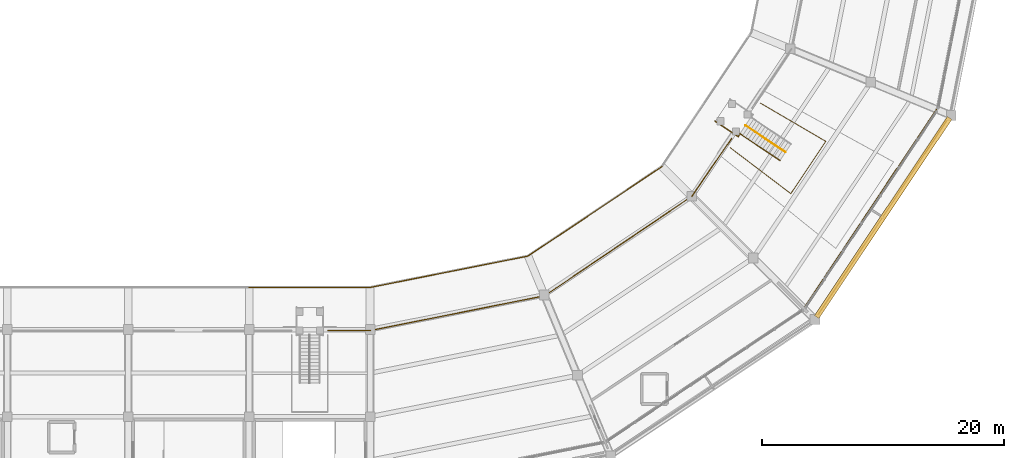
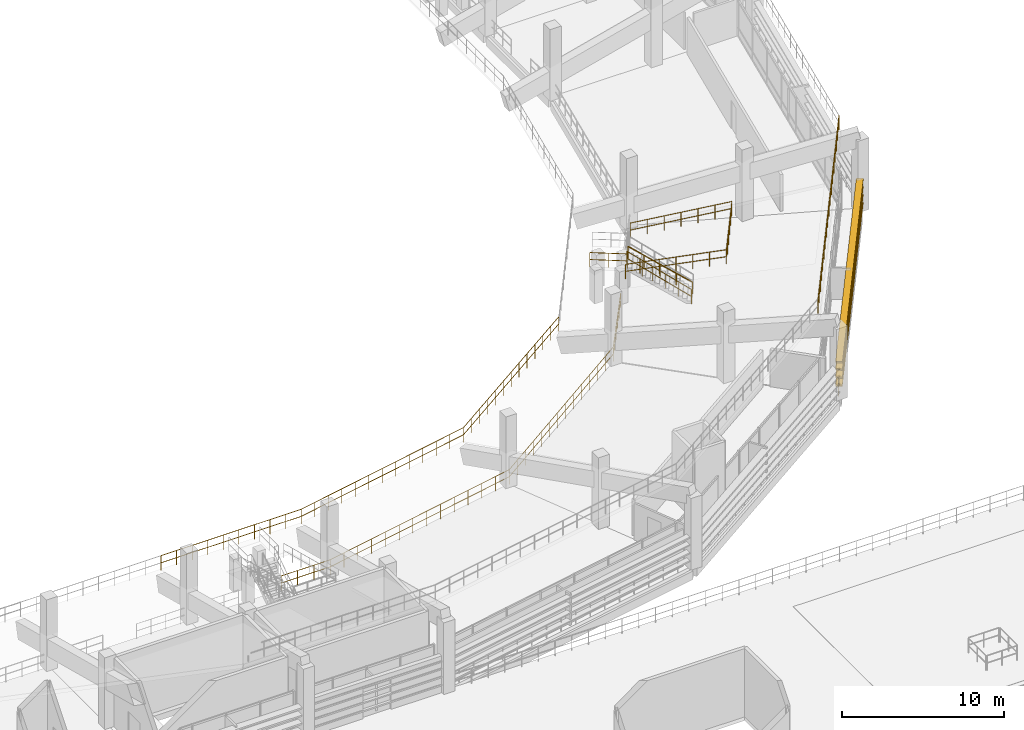
# One storey, part 89 of 96: 12 railings, 4 shading devices.
"""IFC4 building model written with IfcOpenShell, lengths in metres."""

from ifc_helpers import new_model, si_unit, direction, frame, origin, origin_2d, place, context, subcontext, project, spatial, rectangle, circle, extrude, material, layer, layer_set, type_object, element, save


model = new_model("IFC4")

# Units and contexts
model_context = context("Model", 3, precision=1e-05, world=origin(), true_north=direction((0.0, 1.0)))
body_context = subcontext(model_context, "Body", "Model", "MODEL_VIEW")
ifc_project = project(units=[si_unit("LENGTHUNIT", "METRE"), si_unit("AREAUNIT", "SQUARE_METRE"), si_unit("VOLUMEUNIT", "CUBIC_METRE"), si_unit("PLANEANGLEUNIT", "RADIAN"), si_unit("MASSUNIT", "GRAM", prefix="KILO")], contexts=[model_context])

# Site, building, storey
site_placement = place(None, origin())
site = spatial("IfcSite", under=ifc_project, at=site_placement, CompositionType="ELEMENT")
building_placement = place(site_placement, origin())
building = spatial("IfcBuilding", under=site, at=building_placement, Name="Candeia Ridge Stadium", CompositionType="ELEMENT")
storey_placement = place(building_placement, frame((0.0, 0.0, 21.60009765625)))
storey = spatial("IfcBuildingStorey", under=building, at=storey_placement, Name="L04", CompositionType="ELEMENT", Elevation=21.60009765625)

# Railings
ifc_material_1 = material(Name="Galvanized Powder-Coated Steel", Category="steel")
ifc_layer_1 = layer(ifc_material_1, 0.074951171875, Name="Galvanized Powder-Coated Steel", Category="steel")
ifc_layer_set_1 = layer_set([ifc_layer_1], Name="Galvanized Powder-Coated Steel")
railing_type_1 = type_object("IfcRailingType", Name="Spectator Bowl Front Guardrail 1120", PredefinedType="GUARDRAIL", material=ifc_layer_set_1)
railing_1_placement = place(storey_placement, frame((131.0, 36.8798828125, 1.64990234375)))
element("IfcRailing", 1, at=railing_1_placement, inside=storey, type_object=railing_type_1, Name="Stand T3 front safety guardrail bay 25", PredefinedType="GUARDRAIL", context=body_context, shape_type="SweptSolid", body=[
    extrude(circle(Radius=0.02392578125, at=origin_2d()), frame((0.0, 0.0, 1.09619140625), z_axis=(1.0, 0.0, 0.0), x_axis=(0.0, 1.0, 0.0)), (0.0, 0.0, 1.0), 10.0),
    extrude(circle(Radius=0.02392578125, at=origin_2d()), frame((0.0, 0.0, 0.56005859375), z_axis=(1.0, 0.0, 0.0), x_axis=(0.0, 1.0, 0.0)), (0.0, 0.0, 1.0), 10.0),
    extrude(circle(Radius=0.02099609375, at=origin_2d()), origin(), (0.0, 0.0, 1.0), 1.072021484375),
    extrude(circle(Radius=0.02099609375, at=origin_2d()), frame((1.111083984375, 0.0, 0.0)), (0.0, 0.0, 1.0), 1.072021484375),
    extrude(circle(Radius=0.02099609375, at=origin_2d()), frame((2.22216796875, 0.0, 0.0)), (0.0, 0.0, 1.0), 1.072021484375),
    extrude(circle(Radius=0.02099609375, at=origin_2d()), frame((3.333251953125, 0.0, 0.0)), (0.0, 0.0, 1.0), 1.072021484375),
    extrude(circle(Radius=0.02099609375, at=origin_2d()), frame((4.4443359375, 0.0, 0.0)), (0.0, 0.0, 1.0), 1.072021484375),
    extrude(circle(Radius=0.02099609375, at=origin_2d()), frame((5.5556640625, 0.0, 0.0)), (0.0, 0.0, 1.0), 1.072021484375),
    extrude(circle(Radius=0.02099609375, at=origin_2d()), frame((6.666748046875, 0.0, 0.0)), (0.0, 0.0, 1.0), 1.072021484375),
    extrude(circle(Radius=0.02099609375, at=origin_2d()), frame((7.77783203125, 0.0, 0.0)), (0.0, 0.0, 1.0), 1.072021484375),
    extrude(circle(Radius=0.02099609375, at=origin_2d()), frame((8.888916015625, 0.0, 0.0)), (0.0, 0.0, 1.0), 1.072021484375),
    extrude(circle(Radius=0.02099609375, at=origin_2d()), frame((10.0, 0.0, 0.0)), (0.0, 0.0, 1.0), 1.072021484375),
])
railing_2_placement = place(storey_placement, frame((141.0, 36.8798828125, 1.64990234375)))
element("IfcRailing", 2, at=railing_2_placement, inside=storey, type_object=railing_type_1, Name="Stand T3 front safety guardrail bay 26", PredefinedType="GUARDRAIL", context=body_context, shape_type="SweptSolid", body=[
    extrude(circle(Radius=0.02392578125, at=origin_2d()), frame((0.0, 0.0, 1.09619140625), z_axis=(0.980782582757, 0.195103883511, 0.0), x_axis=(-0.195103883511, 0.980782582757, 0.0)), (0.0, 0.0, 1.0), 13.31298828125),
    extrude(circle(Radius=0.02392578125, at=origin_2d()), frame((0.0, 0.0, 0.56005859375), z_axis=(0.980782582757, 0.195103883511, 0.0), x_axis=(-0.195103883511, 0.980782582757, 0.0)), (0.0, 0.0, 1.0), 13.31298828125),
    extrude(circle(Radius=0.02099609375, at=origin_2d()), origin(), (0.0, 0.0, 1.0), 1.072021484375),
    extrude(circle(Radius=0.02099609375, at=origin_2d()), frame((1.088134765625, 0.216552734375, 0.0)), (0.0, 0.0, 1.0), 1.072021484375),
    extrude(circle(Radius=0.02099609375, at=origin_2d()), frame((2.17626953125, 0.432861328125, 0.0)), (0.0, 0.0, 1.0), 1.072021484375),
    extrude(circle(Radius=0.02099609375, at=origin_2d()), frame((3.26416015625, 0.6494140625, 0.0)), (0.0, 0.0, 1.0), 1.072021484375),
    extrude(circle(Radius=0.02099609375, at=origin_2d()), frame((4.352294921875, 0.86572265625, 0.0)), (0.0, 0.0, 1.0), 1.072021484375),
    extrude(circle(Radius=0.02099609375, at=origin_2d()), frame((5.4404296875, 1.082275390625, 0.0)), (0.0, 0.0, 1.0), 1.072021484375),
    extrude(circle(Radius=0.02099609375, at=origin_2d()), frame((6.528564453125, 1.298828125, 0.0)), (0.0, 0.0, 1.0), 1.072021484375),
    extrude(circle(Radius=0.02099609375, at=origin_2d()), frame((7.61669921875, 1.51513671875, 0.0)), (0.0, 0.0, 1.0), 1.072021484375),
    extrude(circle(Radius=0.02099609375, at=origin_2d()), frame((8.704833984375, 1.731689453125, 0.0)), (0.0, 0.0, 1.0), 1.072021484375),
    extrude(circle(Radius=0.02099609375, at=origin_2d()), frame((9.79296875, 1.947998046875, 0.0)), (0.0, 0.0, 1.0), 1.072021484375),
    extrude(circle(Radius=0.02099609375, at=origin_2d()), frame((10.880859375, 2.16455078125, 0.0)), (0.0, 0.0, 1.0), 1.072021484375),
    extrude(circle(Radius=0.02099609375, at=origin_2d()), frame((11.968994140625, 2.380859375, 0.0)), (0.0, 0.0, 1.0), 1.072021484375),
    extrude(circle(Radius=0.02099609375, at=origin_2d()), frame((13.05712890625, 2.597412109375, 0.0)), (0.0, 0.0, 1.0), 1.072021484375),
])
railing_3_placement = place(storey_placement, frame((154.05712890625, 39.477294921875, 1.64990234375)))
element("IfcRailing", 3, at=railing_3_placement, inside=storey, type_object=railing_type_1, Name="Stand T3 front safety guardrail bay 27", PredefinedType="GUARDRAIL", context=body_context, shape_type="SweptSolid", body=[
    extrude(circle(Radius=0.02392578125, at=origin_2d()), frame((0.0, 0.0, 1.09619140625), z_axis=(0.831471471272, 0.555567450865, 0.0), x_axis=(-0.555567450865, 0.831471471272, 0.0)), (0.0, 0.0, 1.0), 13.31298828125),
    extrude(circle(Radius=0.02392578125, at=origin_2d()), frame((0.0, 0.0, 0.56005859375), z_axis=(0.831471471272, 0.555567450865, 0.0), x_axis=(-0.555567450865, 0.831471471272, 0.0)), (0.0, 0.0, 1.0), 13.31298828125),
    extrude(circle(Radius=0.02099609375, at=origin_2d()), origin(), (0.0, 0.0, 1.0), 1.072021484375),
    extrude(circle(Radius=0.02099609375, at=origin_2d()), frame((0.92236328125, 0.616455078125, 0.0)), (0.0, 0.0, 1.0), 1.072021484375),
    extrude(circle(Radius=0.02099609375, at=origin_2d()), frame((1.844970703125, 1.232666015625, 0.0)), (0.0, 0.0, 1.0), 1.072021484375),
    extrude(circle(Radius=0.02099609375, at=origin_2d()), frame((2.767333984375, 1.84912109375, 0.0)), (0.0, 0.0, 1.0), 1.072021484375),
    extrude(circle(Radius=0.02099609375, at=origin_2d()), frame((3.689697265625, 2.46533203125, 0.0)), (0.0, 0.0, 1.0), 1.072021484375),
    extrude(circle(Radius=0.02099609375, at=origin_2d()), frame((4.6123046875, 3.081787109375, 0.0)), (0.0, 0.0, 1.0), 1.072021484375),
    extrude(circle(Radius=0.02099609375, at=origin_2d()), frame((5.53466796875, 3.6982421875, 0.0)), (0.0, 0.0, 1.0), 1.072021484375),
    extrude(circle(Radius=0.02099609375, at=origin_2d()), frame((6.45703125, 4.314453125, 0.0)), (0.0, 0.0, 1.0), 1.072021484375),
    extrude(circle(Radius=0.02099609375, at=origin_2d()), frame((7.379638671875, 4.930908203125, 0.0)), (0.0, 0.0, 1.0), 1.072021484375),
    extrude(circle(Radius=0.02099609375, at=origin_2d()), frame((8.302001953125, 5.547119140625, 0.0)), (0.0, 0.0, 1.0), 1.072021484375),
    extrude(circle(Radius=0.02099609375, at=origin_2d()), frame((9.224365234375, 6.16357421875, 0.0)), (0.0, 0.0, 1.0), 1.072021484375),
    extrude(circle(Radius=0.02099609375, at=origin_2d()), frame((10.14697265625, 6.77978515625, 0.0)), (0.0, 0.0, 1.0), 1.072021484375),
    extrude(circle(Radius=0.02099609375, at=origin_2d()), frame((11.0693359375, 7.396240234375, 0.0)), (0.0, 0.0, 1.0), 1.072021484375),
])
railing_4_placement = place(storey_placement, frame((176.836181640625, 35.163818359375, 6.0)))
element("IfcRailing", 4, at=railing_4_placement, inside=storey, type_object=railing_type_1, Name="Stand T3 rear safety guardrail bay 28", PredefinedType="GUARDRAIL", context=body_context, shape_type="SweptSolid", body=[
    extrude(circle(Radius=0.02392578125, at=origin_2d()), frame((0.0, 0.0, 1.09619140625), z_axis=(0.555568879725, 0.831470516544, 0.0), x_axis=(-0.831470516544, 0.555568879725, 0.0)), (0.0, 0.0, 1.0), 19.7744140625),
    extrude(circle(Radius=0.02392578125, at=origin_2d()), frame((0.0, 0.0, 0.56005859375), z_axis=(0.555568879725, 0.831470516544, 0.0), x_axis=(-0.831470516544, 0.555568879725, 0.0)), (0.0, 0.0, 1.0), 19.7744140625),
    extrude(circle(Radius=0.02099609375, at=origin_2d()), origin(), (0.0, 0.0, 1.0), 1.072021484375),
    extrude(circle(Radius=0.02099609375, at=origin_2d()), frame((0.646240234375, 0.96728515625, 0.0)), (0.0, 0.0, 1.0), 1.072021484375),
    extrude(circle(Radius=0.02099609375, at=origin_2d()), frame((1.29248046875, 1.934326171875, 0.0)), (0.0, 0.0, 1.0), 1.072021484375),
    extrude(circle(Radius=0.02099609375, at=origin_2d()), frame((1.938720703125, 2.901611328125, 0.0)), (0.0, 0.0, 1.0), 1.072021484375),
    extrude(circle(Radius=0.02099609375, at=origin_2d()), frame((2.5849609375, 3.86865234375, 0.0)), (0.0, 0.0, 1.0), 1.072021484375),
    extrude(circle(Radius=0.02099609375, at=origin_2d()), frame((3.231201171875, 4.8359375, 0.0)), (0.0, 0.0, 1.0), 1.072021484375),
    extrude(circle(Radius=0.02099609375, at=origin_2d()), frame((3.87744140625, 5.802978515625, 0.0)), (0.0, 0.0, 1.0), 1.072021484375),
    extrude(circle(Radius=0.02099609375, at=origin_2d()), frame((4.523681640625, 6.770263671875, 0.0)), (0.0, 0.0, 1.0), 1.072021484375),
    extrude(circle(Radius=0.02099609375, at=origin_2d()), frame((5.169921875, 7.7373046875, 0.0)), (0.0, 0.0, 1.0), 1.072021484375),
    extrude(circle(Radius=0.02099609375, at=origin_2d()), frame((5.816162109375, 8.70458984375, 0.0)), (0.0, 0.0, 1.0), 1.072021484375),
    extrude(circle(Radius=0.02099609375, at=origin_2d()), frame((6.46240234375, 9.671630859375, 0.0)), (0.0, 0.0, 1.0), 1.072021484375),
    extrude(circle(Radius=0.02099609375, at=origin_2d()), frame((7.108642578125, 10.638916015625, 0.0)), (0.0, 0.0, 1.0), 1.072021484375),
    extrude(circle(Radius=0.02099609375, at=origin_2d()), frame((7.7548828125, 11.60595703125, 0.0)), (0.0, 0.0, 1.0), 1.072021484375),
    extrude(circle(Radius=0.02099609375, at=origin_2d()), frame((8.401123046875, 12.5732421875, 0.0)), (0.0, 0.0, 1.0), 1.072021484375),
    extrude(circle(Radius=0.02099609375, at=origin_2d()), frame((9.04736328125, 13.540283203125, 0.0)), (0.0, 0.0, 1.0), 1.072021484375),
    extrude(circle(Radius=0.02099609375, at=origin_2d()), frame((9.693603515625, 14.507568359375, 0.0)), (0.0, 0.0, 1.0), 1.072021484375),
    extrude(circle(Radius=0.02099609375, at=origin_2d()), frame((10.33984375, 15.474609375, 0.0)), (0.0, 0.0, 1.0), 1.072021484375),
    extrude(circle(Radius=0.02099609375, at=origin_2d()), frame((10.986083984375, 16.44189453125, 0.0)), (0.0, 0.0, 1.0), 1.072021484375),
])
railing_5_placement = place(storey_placement, frame((188.97509765625, 51.14501953125, 0.0)))
element("IfcRailing", 5, at=railing_5_placement, inside=storey, type_object=railing_type_1, Name="Deck edge safety guardrail GR-DE-L04-0200", PredefinedType="GUARDRAIL", context=body_context, shape_type="SweptSolid", body=[
    extrude(circle(Radius=0.02392578125, at=origin_2d()), frame((0.0, 0.0, 1.09619140625), z_axis=(-0.552282039589, -0.83365733293, 0.0), x_axis=(0.83365733293, -0.552282039589, 0.0)), (0.0, 0.0, 1.0), 20.28955078125),
    extrude(circle(Radius=0.02392578125, at=origin_2d()), frame((0.0, 0.0, 0.56005859375), z_axis=(-0.552282039589, -0.83365733293, 0.0), x_axis=(0.83365733293, -0.552282039589, 0.0)), (0.0, 0.0, 1.0), 20.28955078125),
    extrude(circle(Radius=0.02099609375, at=origin_2d()), origin(), (0.0, 0.0, 1.0), 1.072021484375),
    extrude(circle(Radius=0.02099609375, at=origin_2d()), frame((-0.6591796875, -0.994873046875, 0.0)), (0.0, 0.0, 1.0), 1.072021484375),
    extrude(circle(Radius=0.02099609375, at=origin_2d()), frame((-1.318359375, -1.989990234375, 0.0)), (0.0, 0.0, 1.0), 1.072021484375),
    extrude(circle(Radius=0.02099609375, at=origin_2d()), frame((-1.9775390625, -2.98486328125, 0.0)), (0.0, 0.0, 1.0), 1.072021484375),
    extrude(circle(Radius=0.02099609375, at=origin_2d()), frame((-2.63671875, -3.97998046875, 0.0)), (0.0, 0.0, 1.0), 1.072021484375),
    extrude(circle(Radius=0.02099609375, at=origin_2d()), frame((-3.295654296875, -4.974853515625, 0.0)), (0.0, 0.0, 1.0), 1.072021484375),
    extrude(circle(Radius=0.02099609375, at=origin_2d()), frame((-3.954833984375, -5.9697265625, 0.0)), (0.0, 0.0, 1.0), 1.072021484375),
    extrude(circle(Radius=0.02099609375, at=origin_2d()), frame((-4.614013671875, -6.96484375, 0.0)), (0.0, 0.0, 1.0), 1.072021484375),
    extrude(circle(Radius=0.02099609375, at=origin_2d()), frame((-5.273193359375, -7.959716796875, 0.0)), (0.0, 0.0, 1.0), 1.072021484375),
    extrude(circle(Radius=0.02099609375, at=origin_2d()), frame((-5.932373046875, -8.954833984375, 0.0)), (0.0, 0.0, 1.0), 1.072021484375),
    extrude(circle(Radius=0.02099609375, at=origin_2d()), frame((-6.591552734375, -9.94970703125, 0.0)), (0.0, 0.0, 1.0), 1.072021484375),
    extrude(circle(Radius=0.02099609375, at=origin_2d()), frame((-7.250732421875, -10.94482421875, 0.0)), (0.0, 0.0, 1.0), 1.072021484375),
    extrude(circle(Radius=0.02099609375, at=origin_2d()), frame((-7.909912109375, -11.939697265625, 0.0)), (0.0, 0.0, 1.0), 1.072021484375),
    extrude(circle(Radius=0.02099609375, at=origin_2d()), frame((-8.56884765625, -12.9345703125, 0.0)), (0.0, 0.0, 1.0), 1.072021484375),
    extrude(circle(Radius=0.02099609375, at=origin_2d()), frame((-9.22802734375, -13.9296875, 0.0)), (0.0, 0.0, 1.0), 1.072021484375),
    extrude(circle(Radius=0.02099609375, at=origin_2d()), frame((-9.88720703125, -14.924560546875, 0.0)), (0.0, 0.0, 1.0), 1.072021484375),
    extrude(circle(Radius=0.02099609375, at=origin_2d()), frame((-10.54638671875, -15.919677734375, 0.0)), (0.0, 0.0, 1.0), 1.072021484375),
    extrude(circle(Radius=0.02099609375, at=origin_2d()), frame((-11.20556640625, -16.91455078125, 0.0)), (0.0, 0.0, 1.0), 1.072021484375),
])
railing_6_placement = place(storey_placement, frame((137.52001953125, 33.320068359375, 0.0)))
element("IfcRailing", 6, at=railing_6_placement, inside=storey, type_object=railing_type_1, Name="Deck edge safety guardrail GR-DE-L04-0215", PredefinedType="GUARDRAIL", context=body_context, shape_type="SweptSolid", body=[
    extrude(circle(Radius=0.02392578125, at=origin_2d()), frame((0.0, 0.0, 1.09619140625), z_axis=(0.999999912197, 0.000419052904, 0.0), x_axis=(-0.000419052904, 0.999999912197, 0.0)), (0.0, 0.0, 1.0), 3.49560546875),
    extrude(circle(Radius=0.02392578125, at=origin_2d()), frame((0.0, 0.0, 0.56005859375), z_axis=(0.999999912197, 0.000419052904, 0.0), x_axis=(-0.000419052904, 0.999999912197, 0.0)), (0.0, 0.0, 1.0), 3.49560546875),
    extrude(circle(Radius=0.02099609375, at=origin_2d()), origin(), (0.0, 0.0, 1.0), 1.072021484375),
    extrude(circle(Radius=0.02099609375, at=origin_2d()), frame((1.165283203125, 0.00048828125, 0.0)), (0.0, 0.0, 1.0), 1.072021484375),
    extrude(circle(Radius=0.02099609375, at=origin_2d()), frame((2.330322265625, 0.0009765625, 0.0)), (0.0, 0.0, 1.0), 1.072021484375),
    extrude(circle(Radius=0.02099609375, at=origin_2d()), frame((3.49560546875, 0.00146484375, 0.0)), (0.0, 0.0, 1.0), 1.072021484375),
])
railing_7_placement = place(storey_placement, frame((141.015625, 33.321533203125, 0.0)))
element("IfcRailing", 7, at=railing_7_placement, inside=storey, type_object=railing_type_1, Name="Deck edge safety guardrail GR-DE-L04-0216", PredefinedType="GUARDRAIL", context=body_context, shape_type="SweptSolid", body=[
    extrude(circle(Radius=0.02392578125, at=origin_2d()), frame((0.0, 0.0, 1.09619140625), z_axis=(0.98070502773, 0.19549334665, 0.0), x_axis=(-0.19549334665, 0.98070502773, 0.0)), (0.0, 0.0, 1.0), 14.701416015625),
    extrude(circle(Radius=0.02392578125, at=origin_2d()), frame((0.0, 0.0, 0.56005859375), z_axis=(0.98070502773, 0.19549334665, 0.0), x_axis=(-0.19549334665, 0.98070502773, 0.0)), (0.0, 0.0, 1.0), 14.701416015625),
    extrude(circle(Radius=0.02099609375, at=origin_2d()), origin(), (0.0, 0.0, 1.0), 1.072021484375),
    extrude(circle(Radius=0.02099609375, at=origin_2d()), frame((1.109130859375, 0.22119140625, 0.0)), (0.0, 0.0, 1.0), 1.072021484375),
    extrude(circle(Radius=0.02099609375, at=origin_2d()), frame((2.218017578125, 0.442138671875, 0.0)), (0.0, 0.0, 1.0), 1.072021484375),
    extrude(circle(Radius=0.02099609375, at=origin_2d()), frame((3.3271484375, 0.663330078125, 0.0)), (0.0, 0.0, 1.0), 1.072021484375),
    extrude(circle(Radius=0.02099609375, at=origin_2d()), frame((4.436279296875, 0.88427734375, 0.0)), (0.0, 0.0, 1.0), 1.072021484375),
    extrude(circle(Radius=0.02099609375, at=origin_2d()), frame((5.545166015625, 1.10546875, 0.0)), (0.0, 0.0, 1.0), 1.072021484375),
    extrude(circle(Radius=0.02099609375, at=origin_2d()), frame((6.654296875, 1.326416015625, 0.0)), (0.0, 0.0, 1.0), 1.072021484375),
    extrude(circle(Radius=0.02099609375, at=origin_2d()), frame((7.763427734375, 1.547607421875, 0.0)), (0.0, 0.0, 1.0), 1.072021484375),
    extrude(circle(Radius=0.02099609375, at=origin_2d()), frame((8.87255859375, 1.7685546875, 0.0)), (0.0, 0.0, 1.0), 1.072021484375),
    extrude(circle(Radius=0.02099609375, at=origin_2d()), frame((9.9814453125, 1.98974609375, 0.0)), (0.0, 0.0, 1.0), 1.072021484375),
    extrude(circle(Radius=0.02099609375, at=origin_2d()), frame((11.090576171875, 2.210693359375, 0.0)), (0.0, 0.0, 1.0), 1.072021484375),
    extrude(circle(Radius=0.02099609375, at=origin_2d()), frame((12.19970703125, 2.431884765625, 0.0)), (0.0, 0.0, 1.0), 1.072021484375),
    extrude(circle(Radius=0.02099609375, at=origin_2d()), frame((13.30859375, 2.65283203125, 0.0)), (0.0, 0.0, 1.0), 1.072021484375),
    extrude(circle(Radius=0.02099609375, at=origin_2d()), frame((14.417724609375, 2.8740234375, 0.0)), (0.0, 0.0, 1.0), 1.072021484375),
])
railing_8_placement = place(storey_placement, frame((155.433349609375, 36.195556640625, 0.0)))
element("IfcRailing", 8, at=railing_8_placement, inside=storey, type_object=railing_type_1, Name="Deck edge safety guardrail GR-DE-L04-0217", PredefinedType="GUARDRAIL", context=body_context, shape_type="SweptSolid", body=[
    extrude(circle(Radius=0.02392578125, at=origin_2d()), frame((0.0, 0.0, 1.09619140625), z_axis=(0.828422855938, 0.560103179566, 0.0), x_axis=(-0.560103179566, 0.828422855938, 0.0)), (0.0, 0.0, 1.0), 14.6708984375),
    extrude(circle(Radius=0.02392578125, at=origin_2d()), frame((0.0, 0.0, 0.56005859375), z_axis=(0.828422855938, 0.560103179566, 0.0), x_axis=(-0.560103179566, 0.828422855938, 0.0)), (0.0, 0.0, 1.0), 14.6708984375),
    extrude(circle(Radius=0.02099609375, at=origin_2d()), origin(), (0.0, 0.0, 1.0), 1.072021484375),
    extrude(circle(Radius=0.02099609375, at=origin_2d()), frame((0.934814453125, 0.632080078125, 0.0)), (0.0, 0.0, 1.0), 1.072021484375),
    extrude(circle(Radius=0.02099609375, at=origin_2d()), frame((1.869873046875, 1.26416015625, 0.0)), (0.0, 0.0, 1.0), 1.072021484375),
    extrude(circle(Radius=0.02099609375, at=origin_2d()), frame((2.8046875, 1.896240234375, 0.0)), (0.0, 0.0, 1.0), 1.072021484375),
    extrude(circle(Radius=0.02099609375, at=origin_2d()), frame((3.73974609375, 2.5283203125, 0.0)), (0.0, 0.0, 1.0), 1.072021484375),
    extrude(circle(Radius=0.02099609375, at=origin_2d()), frame((4.674560546875, 3.160400390625, 0.0)), (0.0, 0.0, 1.0), 1.072021484375),
    extrude(circle(Radius=0.02099609375, at=origin_2d()), frame((5.609375, 3.79248046875, 0.0)), (0.0, 0.0, 1.0), 1.072021484375),
    extrude(circle(Radius=0.02099609375, at=origin_2d()), frame((6.54443359375, 4.4248046875, 0.0)), (0.0, 0.0, 1.0), 1.072021484375),
    extrude(circle(Radius=0.02099609375, at=origin_2d()), frame((7.479248046875, 5.056884765625, 0.0)), (0.0, 0.0, 1.0), 1.072021484375),
    extrude(circle(Radius=0.02099609375, at=origin_2d()), frame((8.4140625, 5.68896484375, 0.0)), (0.0, 0.0, 1.0), 1.072021484375),
    extrude(circle(Radius=0.02099609375, at=origin_2d()), frame((9.34912109375, 6.321044921875, 0.0)), (0.0, 0.0, 1.0), 1.072021484375),
    extrude(circle(Radius=0.02099609375, at=origin_2d()), frame((10.283935546875, 6.953125, 0.0)), (0.0, 0.0, 1.0), 1.072021484375),
    extrude(circle(Radius=0.02099609375, at=origin_2d()), frame((11.218994140625, 7.585205078125, 0.0)), (0.0, 0.0, 1.0), 1.072021484375),
    extrude(circle(Radius=0.02099609375, at=origin_2d()), frame((12.15380859375, 8.21728515625, 0.0)), (0.0, 0.0, 1.0), 1.072021484375),
])
railing_9_placement = place(storey_placement, frame((167.587158203125, 44.412841796875, 0.0)))
element("IfcRailing", 9, at=railing_9_placement, inside=storey, type_object=railing_type_1, Name="Deck edge safety guardrail GR-DE-L04-0218", PredefinedType="GUARDRAIL", context=body_context, shape_type="SweptSolid", body=[
    extrude(circle(Radius=0.02392578125, at=origin_2d()), frame((0.0, 0.0, 1.09619140625), z_axis=(0.566961668899, 0.823744175093, 0.0), x_axis=(-0.823744175093, 0.566961668899, 0.0)), (0.0, 0.0, 1.0), 5.81591796875),
    extrude(circle(Radius=0.02392578125, at=origin_2d()), frame((0.0, 0.0, 0.56005859375), z_axis=(0.566961668899, 0.823744175093, 0.0), x_axis=(-0.823744175093, 0.566961668899, 0.0)), (0.0, 0.0, 1.0), 5.81591796875),
    extrude(circle(Radius=0.02099609375, at=origin_2d()), origin(), (0.0, 0.0, 1.0), 1.072021484375),
    extrude(circle(Radius=0.02099609375, at=origin_2d()), frame((0.659423828125, 0.958251953125, 0.0)), (0.0, 0.0, 1.0), 1.072021484375),
    extrude(circle(Radius=0.02099609375, at=origin_2d()), frame((1.31884765625, 1.916259765625, 0.0)), (0.0, 0.0, 1.0), 1.072021484375),
    extrude(circle(Radius=0.02099609375, at=origin_2d()), frame((1.978515625, 2.87451171875, 0.0)), (0.0, 0.0, 1.0), 1.072021484375),
    extrude(circle(Radius=0.02099609375, at=origin_2d()), frame((2.637939453125, 3.83251953125, 0.0)), (0.0, 0.0, 1.0), 1.072021484375),
    extrude(circle(Radius=0.02099609375, at=origin_2d()), frame((3.29736328125, 4.790771484375, 0.0)), (0.0, 0.0, 1.0), 1.072021484375),
])
ifc_material_2 = material(Name="Brushed Stainless Steel", Category="steel")
ifc_layer_2 = layer(ifc_material_2, 0.048095703125, Name="Brushed Stainless Steel", Category="steel")
ifc_layer_set_2 = layer_set([ifc_layer_2], Name="Brushed Stainless Steel")
railing_type_2 = type_object("IfcRailingType", Name="Stair Wall & Flight Handrail 900", PredefinedType="HANDRAIL", material=ifc_layer_set_2)
railing_10_placement = place(storey_placement, frame((175.33251953125, 48.059814453125, 0.179443359375)))
element("IfcRailing", 10, at=railing_10_placement, inside=storey, type_object=railing_type_2, Name="Vomitory stair handrail VS34", PredefinedType="HANDRAIL", context=body_context, shape_type="SweptSolid", body=[
    extrude(circle(Radius=0.02392578125, at=origin_2d()), frame((0.0, 0.0, 0.8759765625), z_axis=(-0.703445127651, 0.470033244468, 0.533135725195), x_axis=(-0.555575329819, -0.831466206708, 0.0)), (0.0, 0.0, 1.0), 4.71630859375),
    extrude(circle(Radius=0.02099609375, at=origin_2d()), origin(), (0.0, 0.0, 1.0), 0.851806640625),
    extrude(circle(Radius=0.02099609375, at=origin_2d()), frame((-0.829345703125, 0.55419921875, 0.628662109375)), (0.0, 0.0, 1.0), 0.851806640625),
    extrude(circle(Radius=0.02099609375, at=origin_2d()), frame((-1.65869140625, 1.1083984375, 1.25732421875)), (0.0, 0.0, 1.0), 0.851806640625),
    extrude(circle(Radius=0.02099609375, at=origin_2d()), frame((-2.48828125, 1.66259765625, 1.8857421875)), (0.0, 0.0, 1.0), 0.851806640625),
    extrude(circle(Radius=0.02099609375, at=origin_2d()), frame((-3.317626953125, 2.216796875, 2.514404296875)), (0.0, 0.0, 1.0), 0.851806640625),
])
ifc_layer_3 = layer(ifc_material_1, 0.070068359375, Name="Galvanized Powder-Coated Steel", Category="steel")
ifc_layer_set_3 = layer_set([ifc_layer_3], Name="Galvanized Powder-Coated Steel")
railing_type_3 = type_object("IfcRailingType", Name="Vomitory Portal Guardrail 1100", PredefinedType="GUARDRAIL", material=ifc_layer_set_3)
railing_11_placement = place(storey_placement, frame((170.7783203125, 48.42578125, 2.69384765625)))
element("IfcRailing", 11, at=railing_11_placement, inside=storey, type_object=railing_type_3, Name="Vomitory portal guardrail VS34", PredefinedType="GUARDRAIL", context=body_context, shape_type="SweptSolid", body=[
    extrude(circle(Radius=0.02392578125, at=origin_2d()), frame((0.0, 0.0, 1.076171875), z_axis=(0.77057067272, -0.584185386181, 0.25484951033), x_axis=(0.604133432707, 0.796883175557, 0.0)), (0.0, 0.0, 1.0), 6.486572265625),
    extrude(circle(Radius=0.02392578125, at=origin_2d()), frame((0.0, 0.0, 0.550048828125), z_axis=(0.77057067272, -0.584185386181, 0.25484951033), x_axis=(0.604133432707, 0.796883175557, 0.0)), (0.0, 0.0, 1.0), 6.486572265625),
    extrude(circle(Radius=0.02392578125, at=origin_2d()), frame((4.998291015625, -3.789306640625, 2.72900390625), z_axis=(0.555588439996, 0.831457446502, 0.0), x_axis=(-0.831457446502, 0.555588439996, 0.0)), (0.0, 0.0, 1.0), 5.19921875),
    extrude(circle(Radius=0.02392578125, at=origin_2d()), frame((4.998291015625, -3.789306640625, 2.203125), z_axis=(0.555588439996, 0.831457446502, 0.0), x_axis=(-0.831457446502, 0.555588439996, 0.0)), (0.0, 0.0, 1.0), 5.19921875),
    extrude(circle(Radius=0.02392578125, at=origin_2d()), frame((7.886962890625, 0.53369140625, 2.72900390625), z_axis=(-0.834609876077, 0.488345575743, -0.254842997561), x_axis=(-0.505020105464, -0.863107579087, 0.0)), (0.0, 0.0, 1.0), 6.486572265625),
    extrude(circle(Radius=0.02392578125, at=origin_2d()), frame((7.886962890625, 0.53369140625, 2.203125), z_axis=(-0.834609876077, 0.488345575743, -0.254842997561), x_axis=(-0.505020105464, -0.863107579087, 0.0)), (0.0, 0.0, 1.0), 6.486572265625),
    extrude(circle(Radius=0.02099609375, at=origin_2d()), origin(), (0.0, 0.0, 1.0), 1.052001953125),
    extrude(circle(Radius=0.02099609375, at=origin_2d()), frame((0.8330078125, -0.631591796875, 0.275390625)), (0.0, 0.0, 1.0), 1.052001953125),
    extrude(circle(Radius=0.02099609375, at=origin_2d()), frame((1.666015625, -1.26318359375, 0.551025390625)), (0.0, 0.0, 1.0), 1.052001953125),
    extrude(circle(Radius=0.02099609375, at=origin_2d()), frame((2.4990234375, -1.89453125, 0.82666015625)), (0.0, 0.0, 1.0), 1.052001953125),
    extrude(circle(Radius=0.02099609375, at=origin_2d()), frame((3.332275390625, -2.526123046875, 1.10205078125)), (0.0, 0.0, 1.0), 1.052001953125),
    extrude(circle(Radius=0.02099609375, at=origin_2d()), frame((4.165283203125, -3.15771484375, 1.37744140625)), (0.0, 0.0, 1.0), 1.052001953125),
    extrude(circle(Radius=0.02099609375, at=origin_2d()), frame((4.998291015625, -3.789306640625, 1.653076171875)), (0.0, 0.0, 1.0), 1.052001953125),
    extrude(circle(Radius=0.02099609375, at=origin_2d()), frame((5.575927734375, -2.9248046875, 1.653076171875)), (0.0, 0.0, 1.0), 1.052001953125),
    extrude(circle(Radius=0.02099609375, at=origin_2d()), frame((6.15380859375, -2.06005859375, 1.653076171875)), (0.0, 0.0, 1.0), 1.052001953125),
    extrude(circle(Radius=0.02099609375, at=origin_2d()), frame((6.7314453125, -1.195556640625, 1.653076171875)), (0.0, 0.0, 1.0), 1.052001953125),
    extrude(circle(Radius=0.02099609375, at=origin_2d()), frame((7.309326171875, -0.330810546875, 1.653076171875)), (0.0, 0.0, 1.0), 1.052001953125),
    extrude(circle(Radius=0.02099609375, at=origin_2d()), frame((7.886962890625, 0.53369140625, 1.653076171875)), (0.0, 0.0, 1.0), 1.052001953125),
    extrude(circle(Radius=0.02099609375, at=origin_2d()), frame((6.984619140625, 1.0615234375, 1.37744140625)), (0.0, 0.0, 1.0), 1.052001953125),
    extrude(circle(Radius=0.02099609375, at=origin_2d()), frame((6.082275390625, 1.589599609375, 1.10205078125)), (0.0, 0.0, 1.0), 1.052001953125),
    extrude(circle(Radius=0.02099609375, at=origin_2d()), frame((5.18017578125, 2.11767578125, 0.82666015625)), (0.0, 0.0, 1.0), 1.052001953125),
    extrude(circle(Radius=0.02099609375, at=origin_2d()), frame((4.27783203125, 2.6455078125, 0.551025390625)), (0.0, 0.0, 1.0), 1.052001953125),
    extrude(circle(Radius=0.02099609375, at=origin_2d()), frame((3.37548828125, 3.17333984375, 0.275390625)), (0.0, 0.0, 1.0), 1.052001953125),
    extrude(circle(Radius=0.02099609375, at=origin_2d()), frame((2.47314453125, 3.701416015625, 0.0)), (0.0, 0.0, 1.0), 1.052001953125),
])
railing_12_placement = place(storey_placement, frame((174.876708984375, 47.3779296875, 0.0)))
element("IfcRailing", 12, at=railing_12_placement, inside=storey, type_object=railing_type_3, Name="Vomitory stair & landing side guardrail VS34-L", PredefinedType="GUARDRAIL", context=body_context, shape_type="SweptSolid", body=[
    extrude(circle(Radius=0.02392578125, at=origin_2d()), frame((0.0, 0.0, 1.076171875), z_axis=(-0.689090156968, 0.460475318315, 0.559568795406), x_axis=(-0.555603595654, -0.831447319135, 0.0)), (0.0, 0.0, 1.0), 4.814208984375),
    extrude(circle(Radius=0.02392578125, at=origin_2d()), frame((0.0, 0.0, 0.550048828125), z_axis=(-0.689090156968, 0.460475318315, 0.559568795406), x_axis=(-0.555603595654, -0.831447319135, 0.0)), (0.0, 0.0, 1.0), 4.814208984375),
    extrude(circle(Radius=0.02392578125, at=origin_2d()), frame((-3.3173828125, 2.216796875, 3.77001953125), z_axis=(-0.432310233057, -0.901724937214, 0.0), x_axis=(0.901724937214, -0.432310233057, 0.0)), (0.0, 0.0, 1.0), 0.282958984375),
    extrude(circle(Radius=0.02392578125, at=origin_2d()), frame((-3.3173828125, 2.216796875, 3.243896484375), z_axis=(-0.432310233057, -0.901724937214, 0.0), x_axis=(0.901724937214, -0.432310233057, 0.0)), (0.0, 0.0, 1.0), 0.282958984375),
    extrude(circle(Radius=0.02392578125, at=origin_2d()), frame((-3.439697265625, 1.961669921875, 3.77001953125), z_axis=(-0.831434582705, 0.55562265494, 0.0), x_axis=(-0.55562265494, -0.831434582705, 0.0)), (0.0, 0.0, 1.0), 2.320068359375),
    extrude(circle(Radius=0.02392578125, at=origin_2d()), frame((-3.439697265625, 1.961669921875, 3.243896484375), z_axis=(-0.831434582705, 0.55562265494, 0.0), x_axis=(-0.55562265494, -0.831434582705, 0.0)), (0.0, 0.0, 1.0), 2.320068359375),
    extrude(circle(Radius=0.02099609375, at=origin_2d()), origin(), (0.0, 0.0, 1.0), 1.052001953125),
    extrude(circle(Radius=0.02099609375, at=origin_2d()), frame((-0.66357421875, 0.443359375, 0.538818359375)), (0.0, 0.0, 1.0), 1.052001953125),
    extrude(circle(Radius=0.02099609375, at=origin_2d()), frame((-1.326904296875, 0.88671875, 1.07763671875)), (0.0, 0.0, 1.0), 1.052001953125),
    extrude(circle(Radius=0.02099609375, at=origin_2d()), frame((-1.990478515625, 1.330078125, 1.6162109375)), (0.0, 0.0, 1.0), 1.052001953125),
    extrude(circle(Radius=0.02099609375, at=origin_2d()), frame((-2.65380859375, 1.7734375, 2.155029296875)), (0.0, 0.0, 1.0), 1.052001953125),
    extrude(circle(Radius=0.02099609375, at=origin_2d()), frame((-3.3173828125, 2.216796875, 2.69384765625)), (0.0, 0.0, 1.0), 1.052001953125),
    extrude(circle(Radius=0.02099609375, at=origin_2d()), frame((-3.439697265625, 1.961669921875, 2.69384765625)), (0.0, 0.0, 1.0), 1.052001953125),
    extrude(circle(Radius=0.02099609375, at=origin_2d()), frame((-4.404296875, 2.606201171875, 2.69384765625)), (0.0, 0.0, 1.0), 1.052001953125),
    extrude(circle(Radius=0.02099609375, at=origin_2d()), frame((-5.36865234375, 3.250732421875, 2.69384765625)), (0.0, 0.0, 1.0), 1.052001953125),
])

# Shading devices
ifc_material_3 = material(Name="Aluminium Anodized Warm Bronze", Category="aluminium")
shading_device_type = type_object("IfcShadingDeviceType", Name="Weathered Bronze Horizontal Solar Rib 440x95", PredefinedType="JALOUSIE", material=ifc_material_3)
for number, where, z_axis, x_axis, name in (
    (13, (183.40576171875, 42.66552734375, 0.5625), (0.0, 0.0, 1.0), (0.555570211063, 0.831469626973, 0.0), "Weathered bronze horizontal solar rib L04 bay 28-1"),
    (14, (183.40576171875, 42.66552734375, 1.17236328125), (0.0, 0.0, 1.0), (0.555570211063, 0.831469626973, 0.0), "Weathered bronze horizontal solar rib L04 bay 28-2"),
    (15, (183.40576171875, 42.66552734375, 1.7822265625), (0.0, 0.0, 1.0), (0.555570211063, 0.831469626973, 0.0), "Weathered bronze horizontal solar rib L04 bay 28-3"),
    (16, (183.40576171875, 42.66552734375, 2.33642578125), (0.0, 0.0, 1.0), (0.555570211063, 0.831469626973, 0.0), "Weathered bronze horizontal solar rib L04 bay 28-4"),
):
    element("IfcShadingDevice", number, at=place(storey_placement, frame(where, z_axis=z_axis, x_axis=x_axis)), inside=storey, type_object=shading_device_type, Name=name, PredefinedType="JALOUSIE", context=body_context, shape_type="SweptSolid", body=[
        extrude(rectangle(XDim=19.789306640625, YDim=0.43994140625, at=origin_2d()), origin(), (0.0, 0.0, 1.0), 0.094970703125),
    ])

save(model, "model.ifc")
